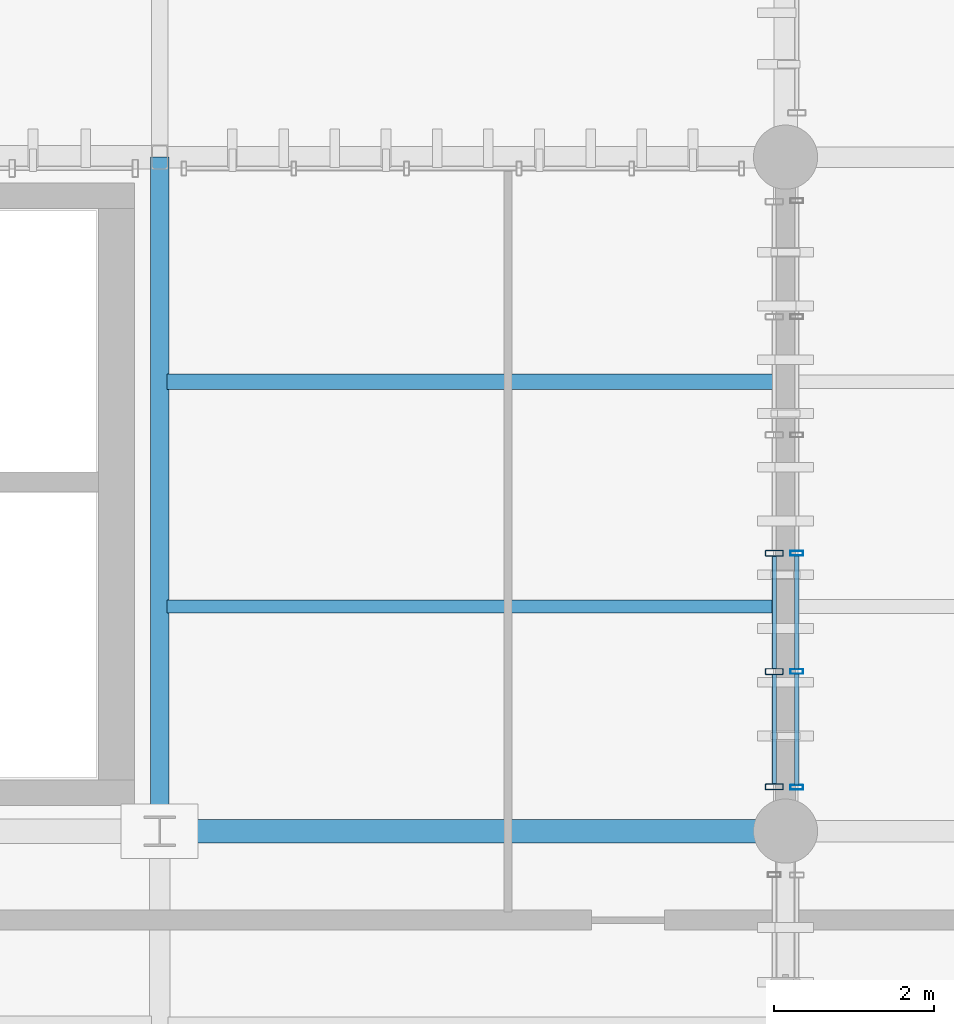
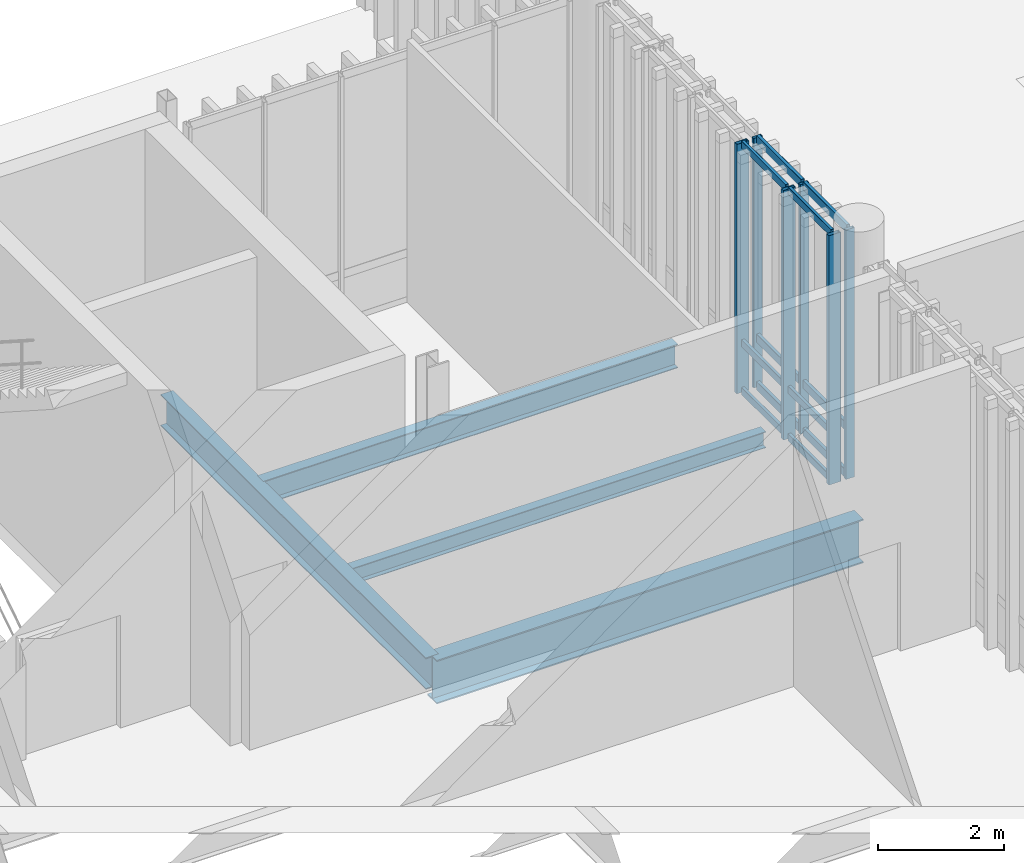
# One storey, part 33 of 112: 18 members, 4 beams, 2 elements without a shape of their own.
"""IFC4 building model written with IfcOpenShell, lengths in metres."""

from ifc_helpers import new_model, si_unit, direction, frame, origin_with_axes, origin_2d_with_axis, place, context, subcontext, project, spatial, hollow_rectangle, i_section, extrude, material, material_profile, profile_set, type_object, element, aggregate, save


model = new_model("IFC4")

# Units and contexts
model_context = context("Model", 3, precision=1e-05, world=origin_with_axes(), true_north=direction((0.0, 1.0)))
body_context = subcontext(model_context, "Body", "Model", "MODEL_VIEW")
ifc_project = project(units=[si_unit("LENGTHUNIT", "METRE"), si_unit("AREAUNIT", "SQUARE_METRE"), si_unit("VOLUMEUNIT", "CUBIC_METRE"), si_unit("PLANEANGLEUNIT", "RADIAN"), si_unit("MASSUNIT", "GRAM", prefix="KILO"), si_unit("THERMODYNAMICTEMPERATUREUNIT", "KELVIN")], contexts=[model_context])

# Site, building, storey
site_placement = place(None, origin_with_axes())
site = spatial("IfcSite", under=ifc_project, at=site_placement, CompositionType="ELEMENT")
building_placement = place(site_placement, origin_with_axes())
building = spatial("IfcBuilding", under=site, at=building_placement, Name="Montbau Bow Law Courts", CompositionType="ELEMENT")
storey_placement = place(building_placement, origin_with_axes())
storey = spatial("IfcBuildingStorey", under=building, at=storey_placement, Name="L00", CompositionType="ELEMENT", Elevation=0.0)

# Beams
ifc_material_1 = material(Name="Steel CSA G40.21 Grade 350W (350 MPa)", Category="steel")
ifc_material_profile_1 = material_profile(ifc_material_1, i_section(OverallWidth=0.293, OverallDepth=0.846, WebThickness=0.0154, FlangeThickness=0.0244, at=origin_2d_with_axis()), Name="W840X210", Category="Main", Priority=0)
ifc_profile_set_1 = profile_set([ifc_material_profile_1], Name="Steel CSA G40.21 Grade 350W (350 MPa)")
beam_type_1 = type_object("IfcBeamType", Name="B-FLR-02", PredefinedType="BEAM", material=ifc_profile_set_1)
beam_1_placement = place(None, frame((39.0, 46.2, -0.763), z_axis=(1.0, 0.0, 0.0), x_axis=(0.0, 1.0, 0.0)))
element("IfcBeam", 1, at=beam_1_placement, inside=storey, type_object=beam_type_1, Name="BM-L00-S0201:bm2_0204", PredefinedType="BEAM", context=body_context, shape_type="SweptSolid", body=[
    extrude(i_section(OverallWidth=0.293, OverallDepth=0.846, WebThickness=0.0154, FlangeThickness=0.0244, at=origin_2d_with_axis()), origin_with_axes(), (0.0, 0.0, 1.0), 7.8),
])
ifc_material_profile_2 = material_profile(ifc_material_1, i_section(OverallWidth=0.229, OverallDepth=0.612, WebThickness=0.0119, FlangeThickness=0.0196, at=origin_2d_with_axis()), Name="W610X125", Category="Main", Priority=0)
ifc_profile_set_2 = profile_set([ifc_material_profile_2], Name="Steel CSA G40.21 Grade 350W (350 MPa)")
beam_type_2 = type_object("IfcBeamType", Name="B-FLR-05", PredefinedType="BEAM", material=ifc_profile_set_2)
beam_2_placement = place(None, frame((39.0, 46.2, -0.646), z_axis=(0.0, 1.0, 0.0), x_axis=(-1.0, 0.0, 0.0)))
element("IfcBeam", 2, at=beam_2_placement, inside=storey, type_object=beam_type_2, Name="BM-L00-S0265:bm2_0268", PredefinedType="BEAM", context=body_context, shape_type="SweptSolid", body=[
    extrude(i_section(OverallWidth=0.229, OverallDepth=0.612, WebThickness=0.0119, FlangeThickness=0.0196, at=origin_2d_with_axis()), origin_with_axes(), (0.0, 0.0, 1.0), 8.4),
])
ifc_material_profile_3 = material_profile(ifc_material_1, i_section(OverallWidth=0.191, OverallDepth=0.46, WebThickness=0.0099, FlangeThickness=0.016, at=origin_2d_with_axis()), Name="W460X82", Category="Main", Priority=0)
ifc_profile_set_3 = profile_set([ifc_material_profile_3], Name="Steel CSA G40.21 Grade 350W (350 MPa)")
beam_type_3 = type_object("IfcBeamType", Name="B-JST-01", PredefinedType="JOIST", material=ifc_profile_set_3)
beam_3_placement = place(None, frame((39.09, 51.8, -0.57), z_axis=(1.0, 0.0, 0.0), x_axis=(0.0, 1.0, 0.0)))
element("IfcBeam", 3, at=beam_3_placement, inside=storey, type_object=beam_type_3, Name="JST-L00-S0040:jst2_0040", PredefinedType="JOIST", context=body_context, shape_type="SweptSolid", body=[
    extrude(i_section(OverallWidth=0.191, OverallDepth=0.46, WebThickness=0.0099, FlangeThickness=0.016, at=origin_2d_with_axis()), origin_with_axes(), (0.0, 0.0, 1.0), 7.581),
])
ifc_material_profile_4 = material_profile(ifc_material_1, i_section(OverallWidth=0.166, OverallDepth=0.313, WebThickness=0.0066, FlangeThickness=0.0112, at=origin_2d_with_axis()), Name="W310X45", Category="Main", Priority=0)
ifc_profile_set_4 = profile_set([ifc_material_profile_4], Name="Steel CSA G40.21 Grade 350W (350 MPa)")
beam_type_4 = type_object("IfcBeamType", Name="B-JST-04", PredefinedType="JOIST", material=ifc_profile_set_4)
beam_4_placement = place(None, frame((39.09, 49.0, -0.497), z_axis=(1.0, 0.0, 0.0), x_axis=(0.0, 1.0, 0.0)))
element("IfcBeam", 4, at=beam_4_placement, inside=storey, type_object=beam_type_4, Name="JST-L00-S0039:jst2_0039", PredefinedType="JOIST", context=body_context, shape_type="SweptSolid", body=[
    extrude(i_section(OverallWidth=0.166, OverallDepth=0.313, WebThickness=0.0066, FlangeThickness=0.0112, at=origin_2d_with_axis()), origin_with_axes(), (0.0, 0.0, 1.0), 7.581),
])

# Curtain wall, members
ifc_material_2 = material(Name="Thermally Broken Extruded Aluminium AA 6063-T6", Category="aluminium")
curtain_wall_type_1 = type_object("IfcCurtainWallType", Name="CW-TRC-01", PredefinedType="NOTDEFINED", material=ifc_material_2)
curtain_wall_1_placement = place(None, frame((46.66, 46.715, 0.0), z_axis=(0.0, 0.0, 1.0), x_axis=(1.0, 0.0, 0.0)))
curtain_wall_1 = element("IfcCurtainWall", 5, at=curtain_wall_1_placement, inside=storey, type_object=curtain_wall_type_1, Name="CW-L00-015:cw_0015", PredefinedType="NOTDEFINED")
ifc_material_profile_5 = material_profile(ifc_material_2, hollow_rectangle(XDim=0.075, YDim=0.22, WallThickness=0.005, InnerFilletRadius=0.01, OuterFilletRadius=0.005, at=origin_2d_with_axis()), Name="CWM-220X75", Category="Main", Priority=0)
ifc_profile_set_5 = profile_set([ifc_material_profile_5], Name="Thermally Broken Extruded Aluminium AA 6063-T6")
member_type_1 = type_object("IfcMemberType", Name="M-MUL-01", PredefinedType="MULLION", material=ifc_profile_set_5)
member_1_placement = place(None, frame((46.66, 46.752, 0.0), z_axis=(0.0, 0.0, 1.0), x_axis=(0.0, 1.0, 0.0)))
member_1 = element("IfcMember", 6, at=member_1_placement, type_object=member_type_1, Name="CW-L00-015-M01:cw_0015_M01", PredefinedType="MULLION", context=body_context, shape_type="SweptSolid", body=[
    extrude(hollow_rectangle(XDim=0.075, YDim=0.22, WallThickness=0.005, InnerFilletRadius=0.01, OuterFilletRadius=0.005, at=origin_2d_with_axis()), origin_with_axes(), (0.0, 0.0, 1.0), 4.82),
])
member_2_placement = place(None, frame((46.66, 48.189, 0.0), z_axis=(0.0, 0.0, 1.0), x_axis=(0.0, 1.0, 0.0)))
member_2 = element("IfcMember", 7, at=member_2_placement, type_object=member_type_1, Name="CW-L00-015-M02:cw_0015_M02", PredefinedType="MULLION", context=body_context, shape_type="SweptSolid", body=[
    extrude(hollow_rectangle(XDim=0.075, YDim=0.22, WallThickness=0.005, InnerFilletRadius=0.01, OuterFilletRadius=0.005, at=origin_2d_with_axis()), origin_with_axes(), (0.0, 0.0, 1.0), 4.82),
])
member_3_placement = place(None, frame((46.66, 49.663, 0.0), z_axis=(0.0, 0.0, 1.0), x_axis=(0.0, 1.0, 0.0)))
member_3 = element("IfcMember", 8, at=member_3_placement, type_object=member_type_1, Name="CW-L00-015-M03:cw_0015_M03", PredefinedType="MULLION", context=body_context, shape_type="SweptSolid", body=[
    extrude(hollow_rectangle(XDim=0.075, YDim=0.22, WallThickness=0.005, InnerFilletRadius=0.01, OuterFilletRadius=0.005, at=origin_2d_with_axis()), origin_with_axes(), (0.0, 0.0, 1.0), 4.82),
])

curtain_wall_type_2 = type_object("IfcCurtainWallType", Name="CW-CRM-01", PredefinedType="NOTDEFINED", material=ifc_material_2)
curtain_wall_2_placement = place(None, frame((46.94, 46.715, 0.0), z_axis=(0.0, 0.0, 1.0), x_axis=(1.0, 0.0, 0.0)))
curtain_wall_2 = element("IfcCurtainWall", 9, at=curtain_wall_2_placement, inside=storey, type_object=curtain_wall_type_2, Name="CW-L00-134:cw_0134", PredefinedType="NOTDEFINED")
ifc_material_profile_6 = material_profile(ifc_material_2, hollow_rectangle(XDim=0.06, YDim=0.16, WallThickness=0.004, InnerFilletRadius=0.008, OuterFilletRadius=0.004, at=origin_2d_with_axis()), Name="CWM-160X60", Category="Main", Priority=0)
ifc_profile_set_6 = profile_set([ifc_material_profile_6], Name="Thermally Broken Extruded Aluminium AA 6063-T6")
member_type_2 = type_object("IfcMemberType", Name="M-MUL-03", PredefinedType="MULLION", material=ifc_profile_set_6)
member_4_placement = place(None, frame((46.94, 46.745, 0.0), z_axis=(0.0, 0.0, 1.0), x_axis=(0.0, 1.0, 0.0)))
member_4 = element("IfcMember", 10, at=member_4_placement, type_object=member_type_2, Name="CW-L00-134-M01:cw_0134_M01", PredefinedType="MULLION", context=body_context, shape_type="SweptSolid", body=[
    extrude(hollow_rectangle(XDim=0.06, YDim=0.16, WallThickness=0.004, InnerFilletRadius=0.008, OuterFilletRadius=0.004, at=origin_2d_with_axis()), origin_with_axes(), (0.0, 0.0, 1.0), 4.82),
])
member_5_placement = place(None, frame((46.94, 48.189, 0.0), z_axis=(0.0, 0.0, 1.0), x_axis=(0.0, 1.0, 0.0)))
member_5 = element("IfcMember", 11, at=member_5_placement, type_object=member_type_2, Name="CW-L00-134-M02:cw_0134_M02", PredefinedType="MULLION", context=body_context, shape_type="SweptSolid", body=[
    extrude(hollow_rectangle(XDim=0.06, YDim=0.16, WallThickness=0.004, InnerFilletRadius=0.008, OuterFilletRadius=0.004, at=origin_2d_with_axis()), origin_with_axes(), (0.0, 0.0, 1.0), 4.82),
])
member_6_placement = place(None, frame((46.94, 49.663, 0.0), z_axis=(0.0, 0.0, 1.0), x_axis=(0.0, 1.0, 0.0)))
member_6 = element("IfcMember", 12, at=member_6_placement, type_object=member_type_2, Name="CW-L00-134-M03:cw_0134_M03", PredefinedType="MULLION", context=body_context, shape_type="SweptSolid", body=[
    extrude(hollow_rectangle(XDim=0.06, YDim=0.16, WallThickness=0.004, InnerFilletRadius=0.008, OuterFilletRadius=0.004, at=origin_2d_with_axis()), origin_with_axes(), (0.0, 0.0, 1.0), 4.82),
])
ifc_material_profile_7 = material_profile(ifc_material_2, hollow_rectangle(XDim=0.06, YDim=0.16, WallThickness=0.004, InnerFilletRadius=0.008, OuterFilletRadius=0.004, at=origin_2d_with_axis()), Name="CWT-160X60", Category="Main", Priority=0)
ifc_profile_set_7 = profile_set([ifc_material_profile_7], Name="Thermally Broken Extruded Aluminium AA 6063-T6")
member_type_3 = type_object("IfcMemberType", Name="M-TRN-01", PredefinedType="USERDEFINED", material=ifc_profile_set_7)
member_7_placement = place(None, frame((46.94, 46.777, 0.03), z_axis=(0.0, 1.0, 0.0), x_axis=(-1.0, 0.0, 0.0)))
member_7 = element("IfcMember", 13, at=member_7_placement, type_object=member_type_3, Name="CW-L00-134-T01-1:cw_0134_T01_1", ObjectType="TRANSOM", PredefinedType="USERDEFINED", context=body_context, shape_type="SweptSolid", body=[
    extrude(hollow_rectangle(XDim=0.06, YDim=0.16, WallThickness=0.004, InnerFilletRadius=0.008, OuterFilletRadius=0.004, at=origin_2d_with_axis()), origin_with_axes(), (0.0, 0.0, 1.0), 1.38),
])
member_8_placement = place(None, frame((46.94, 46.777, 0.95), z_axis=(0.0, 1.0, 0.0), x_axis=(-1.0, 0.0, 0.0)))
member_8 = element("IfcMember", 14, at=member_8_placement, type_object=member_type_3, Name="CW-L00-134-T01-2:cw_0134_T01_2", ObjectType="TRANSOM", PredefinedType="USERDEFINED", context=body_context, shape_type="SweptSolid", body=[
    extrude(hollow_rectangle(XDim=0.06, YDim=0.16, WallThickness=0.004, InnerFilletRadius=0.008, OuterFilletRadius=0.004, at=origin_2d_with_axis()), origin_with_axes(), (0.0, 0.0, 1.0), 1.38),
])
member_9_placement = place(None, frame((46.94, 46.777, 4.79), z_axis=(0.0, 1.0, 0.0), x_axis=(-1.0, 0.0, 0.0)))
member_9 = element("IfcMember", 15, at=member_9_placement, type_object=member_type_3, Name="CW-L00-134-T01-3:cw_0134_T01_3", ObjectType="TRANSOM", PredefinedType="USERDEFINED", context=body_context, shape_type="SweptSolid", body=[
    extrude(hollow_rectangle(XDim=0.06, YDim=0.16, WallThickness=0.004, InnerFilletRadius=0.008, OuterFilletRadius=0.004, at=origin_2d_with_axis()), origin_with_axes(), (0.0, 0.0, 1.0), 1.38),
])
member_10_placement = place(None, frame((46.94, 48.221, 0.03), z_axis=(0.0, 1.0, 0.0), x_axis=(-1.0, 0.0, 0.0)))
member_10 = element("IfcMember", 16, at=member_10_placement, type_object=member_type_3, Name="CW-L00-134-T02-1:cw_0134_T02_1", ObjectType="TRANSOM", PredefinedType="USERDEFINED", context=body_context, shape_type="SweptSolid", body=[
    extrude(hollow_rectangle(XDim=0.06, YDim=0.16, WallThickness=0.004, InnerFilletRadius=0.008, OuterFilletRadius=0.004, at=origin_2d_with_axis()), origin_with_axes(), (0.0, 0.0, 1.0), 1.41),
])
member_11_placement = place(None, frame((46.94, 48.221, 0.95), z_axis=(0.0, 1.0, 0.0), x_axis=(-1.0, 0.0, 0.0)))
member_11 = element("IfcMember", 17, at=member_11_placement, type_object=member_type_3, Name="CW-L00-134-T02-2:cw_0134_T02_2", ObjectType="TRANSOM", PredefinedType="USERDEFINED", context=body_context, shape_type="SweptSolid", body=[
    extrude(hollow_rectangle(XDim=0.06, YDim=0.16, WallThickness=0.004, InnerFilletRadius=0.008, OuterFilletRadius=0.004, at=origin_2d_with_axis()), origin_with_axes(), (0.0, 0.0, 1.0), 1.41),
])
member_12_placement = place(None, frame((46.94, 48.221, 4.79), z_axis=(0.0, 1.0, 0.0), x_axis=(-1.0, 0.0, 0.0)))
member_12 = element("IfcMember", 18, at=member_12_placement, type_object=member_type_3, Name="CW-L00-134-T02-3:cw_0134_T02_3", ObjectType="TRANSOM", PredefinedType="USERDEFINED", context=body_context, shape_type="SweptSolid", body=[
    extrude(hollow_rectangle(XDim=0.06, YDim=0.16, WallThickness=0.004, InnerFilletRadius=0.008, OuterFilletRadius=0.004, at=origin_2d_with_axis()), origin_with_axes(), (0.0, 0.0, 1.0), 1.41),
])
aggregate(curtain_wall_2, [member_4, member_5, member_6, member_7, member_8, member_9, member_10, member_11, member_12])

# Member
ifc_material_profile_8 = material_profile(ifc_material_2, hollow_rectangle(XDim=0.055, YDim=0.14, WallThickness=0.004, InnerFilletRadius=0.008, OuterFilletRadius=0.004, at=origin_2d_with_axis()), Name="CWT-140X55", Category="Main", Priority=0)
ifc_profile_set_8 = profile_set([ifc_material_profile_8], Name="Thermally Broken Extruded Aluminium AA 6063-T6")
member_type_4 = type_object("IfcMemberType", Name="M-TRN-02", PredefinedType="USERDEFINED", material=ifc_profile_set_8)
member_13_placement = place(None, frame((46.66, 46.791, 0.028), z_axis=(0.0, 1.0, 0.0), x_axis=(-1.0, 0.0, 0.0)))
member_13 = element("IfcMember", 19, at=member_13_placement, type_object=member_type_4, Name="CW-L00-015-T01-1:cw_0015_T01_1", ObjectType="TRANSOM", PredefinedType="USERDEFINED", context=body_context, shape_type="SweptSolid", body=[
    extrude(hollow_rectangle(XDim=0.055, YDim=0.14, WallThickness=0.004, InnerFilletRadius=0.008, OuterFilletRadius=0.004, at=origin_2d_with_axis()), origin_with_axes(), (0.0, 0.0, 1.0), 1.358),
])

member_14_placement = place(None, frame((46.66, 46.791, 0.95), z_axis=(0.0, 1.0, 0.0), x_axis=(-1.0, 0.0, 0.0)))
member_14 = element("IfcMember", 20, at=member_14_placement, type_object=member_type_4, Name="CW-L00-015-T01-2:cw_0015_T01_2", ObjectType="TRANSOM", PredefinedType="USERDEFINED", context=body_context, shape_type="SweptSolid", body=[
    extrude(hollow_rectangle(XDim=0.055, YDim=0.14, WallThickness=0.004, InnerFilletRadius=0.008, OuterFilletRadius=0.004, at=origin_2d_with_axis()), origin_with_axes(), (0.0, 0.0, 1.0), 1.358),
])

member_15_placement = place(None, frame((46.66, 46.791, 4.793), z_axis=(0.0, 1.0, 0.0), x_axis=(-1.0, 0.0, 0.0)))
member_15 = element("IfcMember", 21, at=member_15_placement, type_object=member_type_4, Name="CW-L00-015-T01-3:cw_0015_T01_3", ObjectType="TRANSOM", PredefinedType="USERDEFINED", context=body_context, shape_type="SweptSolid", body=[
    extrude(hollow_rectangle(XDim=0.055, YDim=0.14, WallThickness=0.004, InnerFilletRadius=0.008, OuterFilletRadius=0.004, at=origin_2d_with_axis()), origin_with_axes(), (0.0, 0.0, 1.0), 1.358),
])

member_16_placement = place(None, frame((46.66, 48.229, 0.028), z_axis=(0.0, 1.0, 0.0), x_axis=(-1.0, 0.0, 0.0)))
member_16 = element("IfcMember", 22, at=member_16_placement, type_object=member_type_4, Name="CW-L00-015-T02-1:cw_0015_T02_1", ObjectType="TRANSOM", PredefinedType="USERDEFINED", context=body_context, shape_type="SweptSolid", body=[
    extrude(hollow_rectangle(XDim=0.055, YDim=0.14, WallThickness=0.004, InnerFilletRadius=0.008, OuterFilletRadius=0.004, at=origin_2d_with_axis()), origin_with_axes(), (0.0, 0.0, 1.0), 1.395),
])

member_17_placement = place(None, frame((46.66, 48.229, 0.95), z_axis=(0.0, 1.0, 0.0), x_axis=(-1.0, 0.0, 0.0)))
member_17 = element("IfcMember", 23, at=member_17_placement, type_object=member_type_4, Name="CW-L00-015-T02-2:cw_0015_T02_2", ObjectType="TRANSOM", PredefinedType="USERDEFINED", context=body_context, shape_type="SweptSolid", body=[
    extrude(hollow_rectangle(XDim=0.055, YDim=0.14, WallThickness=0.004, InnerFilletRadius=0.008, OuterFilletRadius=0.004, at=origin_2d_with_axis()), origin_with_axes(), (0.0, 0.0, 1.0), 1.395),
])

member_18_placement = place(None, frame((46.66, 48.229, 4.793), z_axis=(0.0, 1.0, 0.0), x_axis=(-1.0, 0.0, 0.0)))
member_18 = element("IfcMember", 24, at=member_18_placement, type_object=member_type_4, Name="CW-L00-015-T02-3:cw_0015_T02_3", ObjectType="TRANSOM", PredefinedType="USERDEFINED", context=body_context, shape_type="SweptSolid", body=[
    extrude(hollow_rectangle(XDim=0.055, YDim=0.14, WallThickness=0.004, InnerFilletRadius=0.008, OuterFilletRadius=0.004, at=origin_2d_with_axis()), origin_with_axes(), (0.0, 0.0, 1.0), 1.395),
])

aggregate(curtain_wall_1, [member_1, member_2, member_3, member_13, member_14, member_15, member_16, member_17, member_18])

save(model, "model.ifc")
